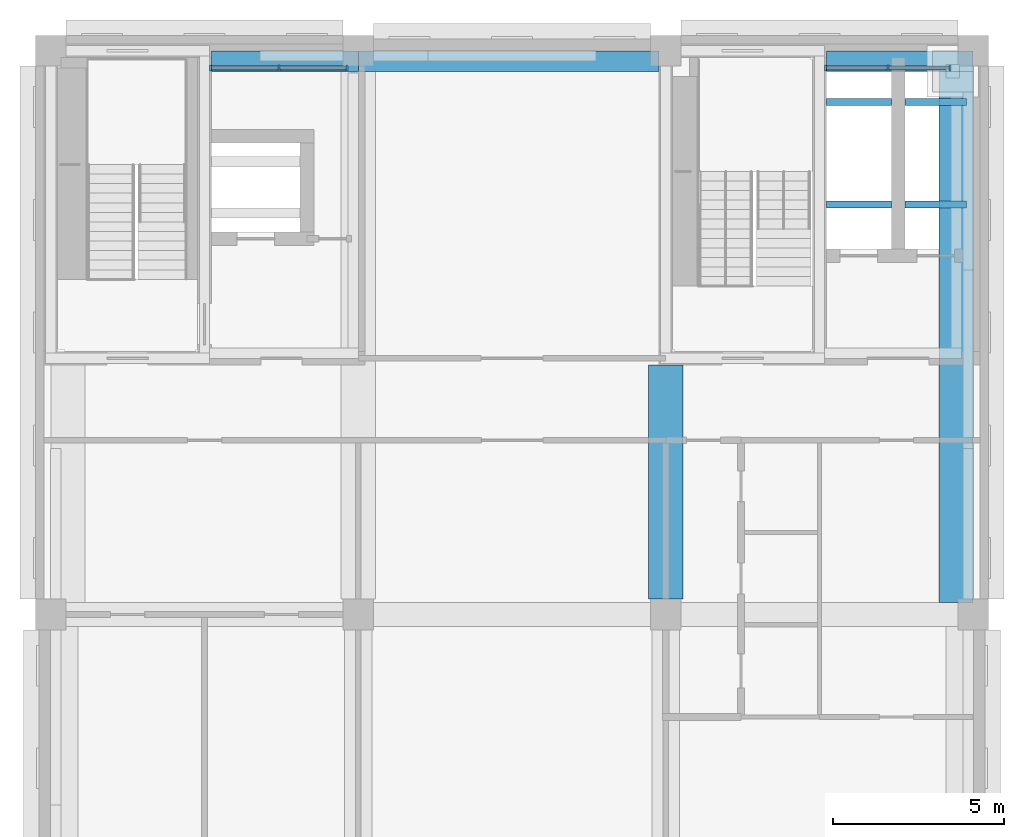
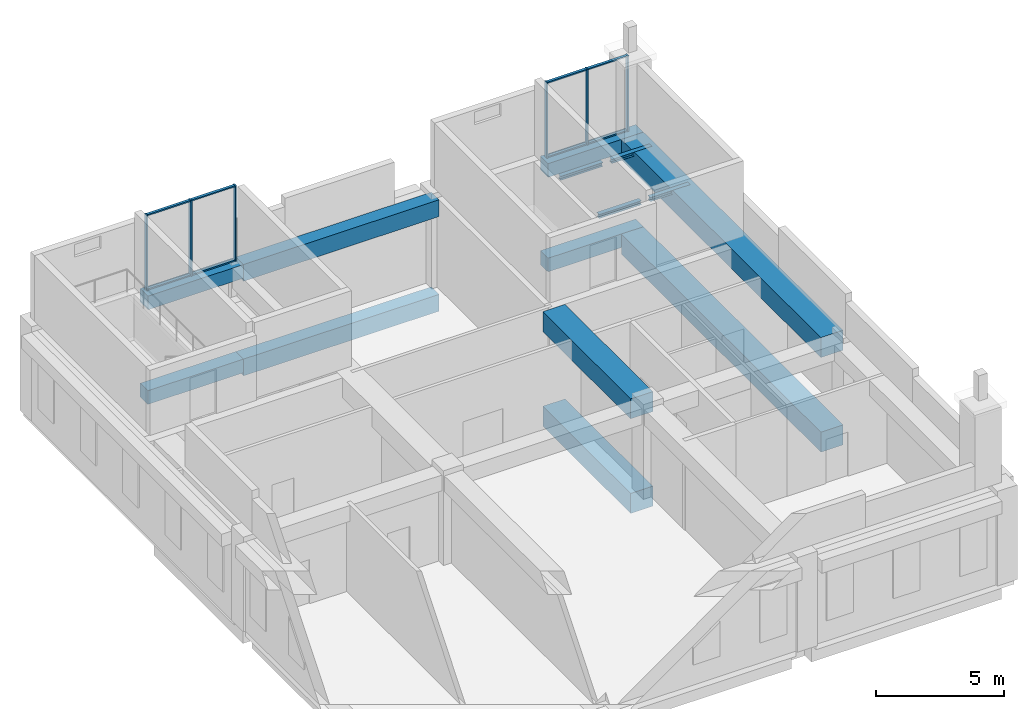
# One storey, part 2 of 6: 14 beams, 14 members, 2 elements without a shape of their own.
"""IFC4 building model written with IfcOpenShell, lengths in metres."""

from ifc_helpers import new_model, si_unit, direction, frame, origin, origin_2d, place, context, subcontext, project, spatial, rectangle, i_section, extrude, material, layer, layer_set, material_profile, profile_set, type_object, element, aggregate, save


model = new_model("IFC4")

# Units and contexts
model_context = context("Model", 3, precision=1e-05, world=origin(), true_north=direction((0.0, 1.0)))
body_context = subcontext(model_context, "Body", "Model", "MODEL_VIEW")
ifc_project = project(units=[si_unit("LENGTHUNIT", "METRE"), si_unit("AREAUNIT", "SQUARE_METRE"), si_unit("VOLUMEUNIT", "CUBIC_METRE"), si_unit("PLANEANGLEUNIT", "RADIAN"), si_unit("MASSUNIT", "GRAM", prefix="KILO")], contexts=[model_context])

# Site, building, storey
site_placement = place(None, origin())
site = spatial("IfcSite", under=ifc_project, at=site_placement, CompositionType="ELEMENT")
building_placement = place(site_placement, origin())
building = spatial("IfcBuilding", under=site, at=building_placement, Name="Aurelan Courthouse", CompositionType="ELEMENT")
storey_placement = place(building_placement, frame((0.0, 0.0, 57.89990234375)))
storey = spatial("IfcBuildingStorey", under=building, at=storey_placement, Name="L11", CompositionType="ELEMENT", Elevation=57.89990234375)

# Curtain wall, members
ifc_material_1 = material(Name="Bronze-finished aluminium and glass", Category="aluminium")
ifc_layer_1 = layer(ifc_material_1, 0.14990234375)
ifc_layer_set_1 = layer_set([ifc_layer_1], Name="Bronze-finished aluminium and glass")
curtain_wall_type_1 = type_object("IfcCurtainWallType", Name="Core strip 4050 x 3600", PredefinedType="NOTDEFINED", material=ifc_layer_set_1)
curtain_wall_1_placement = place(storey_placement, origin())
curtain_wall_1 = element("IfcCurtainWall", 1, at=curtain_wall_1_placement, inside=storey, type_object=curtain_wall_type_1, Name="Curtain wall CW-L11-C1N01", PredefinedType="NOTDEFINED")
ifc_material_2 = material(Name="Bronze-finished aluminium", Category="aluminium")
ifc_material_profile_1 = material_profile(ifc_material_2, rectangle(XDim=0.179931640625, YDim=0.06005859375, at=origin_2d()), Name="Core strip mullion 60 x 180")
ifc_profile_set_1 = profile_set([ifc_material_profile_1], Name="Bronze-finished aluminium")
member_type_1 = type_object("IfcMemberType", Name="Core strip mullion 60 x 180", PredefinedType="MULLION", material=ifc_profile_set_1)
member_1_placement = place(storey_placement, frame((4.679931640625, 28.0, 4.5), z_axis=(0.0, 0.0, 1.0), x_axis=(0.0, 1.0, 0.0)))
member_1 = element("IfcMember", 2, at=member_1_placement, type_object=member_type_1, Name="CW-L11-C1N01 mullion 1", PredefinedType="MULLION", context=body_context, shape_type="SweptSolid", body=[
    extrude(rectangle(XDim=0.179931640625, YDim=0.06005859375, at=origin_2d()), origin(), (0.0, 0.0, 1.0), 3.60009765625),
])
member_2_placement = place(storey_placement, frame((6.675048828125, 28.0, 4.5), z_axis=(0.0, 0.0, 1.0), x_axis=(0.0, 1.0, 0.0)))
member_2 = element("IfcMember", 3, at=member_2_placement, type_object=member_type_1, Name="CW-L11-C1N01 mullion 2", PredefinedType="MULLION", context=body_context, shape_type="SweptSolid", body=[
    extrude(rectangle(XDim=0.179931640625, YDim=0.06005859375, at=origin_2d()), origin(), (0.0, 0.0, 1.0), 3.60009765625),
])
member_3_placement = place(storey_placement, frame((8.669921875, 28.0, 4.5), z_axis=(0.0, 0.0, 1.0), x_axis=(0.0, 1.0, 0.0)))
member_3 = element("IfcMember", 4, at=member_3_placement, type_object=member_type_1, Name="CW-L11-C1N01 mullion 3", PredefinedType="MULLION", context=body_context, shape_type="SweptSolid", body=[
    extrude(rectangle(XDim=0.179931640625, YDim=0.06005859375, at=origin_2d()), origin(), (0.0, 0.0, 1.0), 3.60009765625),
])

ifc_layer_2 = layer(ifc_material_1, 0.14990234375)
ifc_layer_set_2 = layer_set([ifc_layer_2], Name="Bronze-finished aluminium and glass")
curtain_wall_type_2 = type_object("IfcCurtainWallType", Name="Core strip 3700 x 3600", PredefinedType="NOTDEFINED", material=ifc_layer_set_2)
curtain_wall_2_placement = place(storey_placement, origin())
curtain_wall_2 = element("IfcCurtainWall", 5, at=curtain_wall_2_placement, inside=storey, type_object=curtain_wall_type_2, Name="Curtain wall CW-L11-C2N01", PredefinedType="NOTDEFINED")
member_4_placement = place(storey_placement, frame((22.679931640625, 28.0, 4.5), z_axis=(0.0, 0.0, 1.0), x_axis=(0.0, 1.0, 0.0)))
member_4 = element("IfcMember", 6, at=member_4_placement, type_object=member_type_1, Name="CW-L11-C2N01 mullion 1", PredefinedType="MULLION", context=body_context, shape_type="SweptSolid", body=[
    extrude(rectangle(XDim=0.179931640625, YDim=0.06005859375, at=origin_2d()), origin(), (0.0, 0.0, 1.0), 3.60009765625),
])
member_5_placement = place(storey_placement, frame((24.5, 28.0, 4.5), z_axis=(0.0, 0.0, 1.0), x_axis=(0.0, 1.0, 0.0)))
member_5 = element("IfcMember", 7, at=member_5_placement, type_object=member_type_1, Name="CW-L11-C2N01 mullion 2", PredefinedType="MULLION", context=body_context, shape_type="SweptSolid", body=[
    extrude(rectangle(XDim=0.179931640625, YDim=0.06005859375, at=origin_2d()), origin(), (0.0, 0.0, 1.0), 3.60009765625),
])
member_6_placement = place(storey_placement, frame((26.320068359375, 28.0, 4.5), z_axis=(0.0, 0.0, 1.0), x_axis=(0.0, 1.0, 0.0)))
member_6 = element("IfcMember", 8, at=member_6_placement, type_object=member_type_1, Name="CW-L11-C2N01 mullion 3", PredefinedType="MULLION", context=body_context, shape_type="SweptSolid", body=[
    extrude(rectangle(XDim=0.179931640625, YDim=0.06005859375, at=origin_2d()), origin(), (0.0, 0.0, 1.0), 3.60009765625),
])

# Member
ifc_material_profile_2 = material_profile(ifc_material_2, rectangle(XDim=0.1201171875, YDim=0.06005859375, at=origin_2d()), Name="Core strip transom 60 x 120")
ifc_profile_set_2 = profile_set([ifc_material_profile_2], Name="Bronze-finished aluminium")
member_type_2 = type_object("IfcMemberType", Name="Core strip transom 60 x 120", PredefinedType="USERDEFINED", material=ifc_profile_set_2)
member_7_placement = place(storey_placement, frame((4.7099609375, 28.0, 4.530029296875), z_axis=(1.0, 0.0, 0.0), x_axis=(0.0, 1.0, 0.0)))
member_7 = element("IfcMember", 9, at=member_7_placement, type_object=member_type_2, Name="CW-L11-C1N01 transom 1.1", ObjectType="TRANSOM", PredefinedType="USERDEFINED", context=body_context, shape_type="SweptSolid", body=[
    extrude(rectangle(XDim=0.1201171875, YDim=0.06005859375, at=origin_2d()), origin(), (0.0, 0.0, 1.0), 1.93505859375),
])

member_8_placement = place(storey_placement, frame((4.7099609375, 28.0, 8.070068359375), z_axis=(1.0, 0.0, 0.0), x_axis=(0.0, 1.0, 0.0)))
member_8 = element("IfcMember", 10, at=member_8_placement, type_object=member_type_2, Name="CW-L11-C1N01 transom 1.2", ObjectType="TRANSOM", PredefinedType="USERDEFINED", context=body_context, shape_type="SweptSolid", body=[
    extrude(rectangle(XDim=0.1201171875, YDim=0.06005859375, at=origin_2d()), origin(), (0.0, 0.0, 1.0), 1.93505859375),
])

member_9_placement = place(storey_placement, frame((6.705078125, 28.0, 4.530029296875), z_axis=(1.0, 0.0, 0.0), x_axis=(0.0, 1.0, 0.0)))
member_9 = element("IfcMember", 11, at=member_9_placement, type_object=member_type_2, Name="CW-L11-C1N01 transom 2.1", ObjectType="TRANSOM", PredefinedType="USERDEFINED", context=body_context, shape_type="SweptSolid", body=[
    extrude(rectangle(XDim=0.1201171875, YDim=0.06005859375, at=origin_2d()), origin(), (0.0, 0.0, 1.0), 1.934814453125),
])

member_10_placement = place(storey_placement, frame((6.705078125, 28.0, 8.070068359375), z_axis=(1.0, 0.0, 0.0), x_axis=(0.0, 1.0, 0.0)))
member_10 = element("IfcMember", 12, at=member_10_placement, type_object=member_type_2, Name="CW-L11-C1N01 transom 2.2", ObjectType="TRANSOM", PredefinedType="USERDEFINED", context=body_context, shape_type="SweptSolid", body=[
    extrude(rectangle(XDim=0.1201171875, YDim=0.06005859375, at=origin_2d()), origin(), (0.0, 0.0, 1.0), 1.934814453125),
])

aggregate(curtain_wall_1, [member_1, member_2, member_3, member_7, member_8, member_9, member_10])

member_11_placement = place(storey_placement, frame((22.7099609375, 28.0, 4.530029296875), z_axis=(1.0, 0.0, 0.0), x_axis=(0.0, 1.0, 0.0)))
member_11 = element("IfcMember", 13, at=member_11_placement, type_object=member_type_2, Name="CW-L11-C2N01 transom 1.1", ObjectType="TRANSOM", PredefinedType="USERDEFINED", context=body_context, shape_type="SweptSolid", body=[
    extrude(rectangle(XDim=0.1201171875, YDim=0.06005859375, at=origin_2d()), origin(), (0.0, 0.0, 1.0), 1.760009765625),
])

member_12_placement = place(storey_placement, frame((22.7099609375, 28.0, 8.070068359375), z_axis=(1.0, 0.0, 0.0), x_axis=(0.0, 1.0, 0.0)))
member_12 = element("IfcMember", 14, at=member_12_placement, type_object=member_type_2, Name="CW-L11-C2N01 transom 1.2", ObjectType="TRANSOM", PredefinedType="USERDEFINED", context=body_context, shape_type="SweptSolid", body=[
    extrude(rectangle(XDim=0.1201171875, YDim=0.06005859375, at=origin_2d()), origin(), (0.0, 0.0, 1.0), 1.760009765625),
])

member_13_placement = place(storey_placement, frame((24.530029296875, 28.0, 4.530029296875), z_axis=(1.0, 0.0, 0.0), x_axis=(0.0, 1.0, 0.0)))
member_13 = element("IfcMember", 15, at=member_13_placement, type_object=member_type_2, Name="CW-L11-C2N01 transom 2.1", ObjectType="TRANSOM", PredefinedType="USERDEFINED", context=body_context, shape_type="SweptSolid", body=[
    extrude(rectangle(XDim=0.1201171875, YDim=0.06005859375, at=origin_2d()), origin(), (0.0, 0.0, 1.0), 1.760009765625),
])

member_14_placement = place(storey_placement, frame((24.530029296875, 28.0, 8.070068359375), z_axis=(1.0, 0.0, 0.0), x_axis=(0.0, 1.0, 0.0)))
member_14 = element("IfcMember", 16, at=member_14_placement, type_object=member_type_2, Name="CW-L11-C2N01 transom 2.2", ObjectType="TRANSOM", PredefinedType="USERDEFINED", context=body_context, shape_type="SweptSolid", body=[
    extrude(rectangle(XDim=0.1201171875, YDim=0.06005859375, at=origin_2d()), origin(), (0.0, 0.0, 1.0), 1.760009765625),
])

aggregate(curtain_wall_2, [member_4, member_5, member_6, member_11, member_12, member_13, member_14])

# Beams
ifc_material_3 = material(Name="Steel S355", Category="steel")
ifc_material_profile_3 = material_profile(ifc_material_3, i_section(OverallWidth=0.199951171875, OverallDepth=0.18994140625, WebThickness=0.006591796875, FlangeThickness=0.010009765625, FilletRadius=0.01806640625, at=origin_2d()), Name="HEA 200")
ifc_profile_set_3 = profile_set([ifc_material_profile_3], Name="Steel S355")
beam_type_1 = type_object("IfcBeamType", Name="Hoist beam HEA 200", PredefinedType="BEAM", material=ifc_profile_set_3)
for number, where, z_axis, x_axis, name in (
    (17, (22.699951171875, 24.0, 4.155029296875), (1.0, 0.0, 0.0), (0.0, 1.0, 0.0), "Hoist beam HB-V5-P1-1"),
    (18, (22.699951171875, 27.0, 4.155029296875), (1.0, 0.0, 0.0), (0.0, 1.0, 0.0), "Hoist beam HB-V5-P1-2"),
):
    element("IfcBeam", number, at=place(storey_placement, frame(where, z_axis=z_axis, x_axis=x_axis)), inside=storey, type_object=beam_type_1, Name=name, PredefinedType="BEAM", context=body_context, shape_type="SweptSolid", body=[
        extrude(i_section(OverallWidth=0.199951171875, OverallDepth=0.18994140625, WebThickness=0.006591796875, FlangeThickness=0.010009765625, FilletRadius=0.01806640625, at=origin_2d()), origin(), (0.0, 0.0, 1.0), 1.900146484375),
    ])
for number, where, z_axis, x_axis, name in (
    (19, (25.0, 24.0, 4.155029296875), (1.0, 0.0, 0.0), (0.0, 1.0, 0.0), "Hoist beam HB-V5-P2-1"),
    (20, (25.0, 27.0, 4.155029296875), (1.0, 0.0, 0.0), (0.0, 1.0, 0.0), "Hoist beam HB-V5-P2-2"),
):
    element("IfcBeam", number, at=place(storey_placement, frame(where, z_axis=z_axis, x_axis=x_axis)), inside=storey, type_object=beam_type_1, Name=name, PredefinedType="BEAM", context=body_context, shape_type="SweptSolid", body=[
        extrude(i_section(OverallWidth=0.199951171875, OverallDepth=0.18994140625, WebThickness=0.006591796875, FlangeThickness=0.010009765625, FilletRadius=0.01806640625, at=origin_2d()), origin(), (0.0, 0.0, 1.0), 1.800048828125),
    ])
ifc_material_4 = material(Name="Concrete C50", Category="concrete")
ifc_material_profile_4 = material_profile(ifc_material_4, rectangle(XDim=1.0, YDim=0.949951171875, at=origin_2d()), Name="RC 1000 x 950")
ifc_profile_set_4 = profile_set([ifc_material_profile_4], Name="Concrete C50")
beam_type_2 = type_object("IfcBeamType", Name="PT girder 1000 x 950", PredefinedType="BEAM", material=ifc_profile_set_4)
beam_1_placement = place(storey_placement, frame((18.0, 12.449951171875, -0.724853515625), z_axis=(0.0, 1.0, 0.0), x_axis=(-1.0, 0.0, 0.0)))
element("IfcBeam", 21, at=beam_1_placement, inside=storey, type_object=beam_type_2, Name="Girder GB-3BC", PredefinedType="BEAM", context=body_context, shape_type="SweptSolid", body=[
    extrude(rectangle(XDim=1.0, YDim=0.949951171875, at=origin_2d()), origin(), (0.0, 0.0, 1.0), 6.85009765625),
])
beam_2_placement = place(storey_placement, frame((26.5, 12.35009765625, -0.724853515625), z_axis=(0.0, 1.0, 0.0), x_axis=(-1.0, 0.0, 0.0)))
element("IfcBeam", 22, at=beam_2_placement, inside=storey, type_object=beam_type_2, Name="Girder GB-4BC-E", PredefinedType="BEAM", context=body_context, shape_type="SweptSolid", body=[
    extrude(rectangle(XDim=1.0, YDim=0.949951171875, at=origin_2d()), origin(), (0.0, 0.0, 1.0), 15.5498046875),
])
beam_3_placement = place(storey_placement, frame((18.0, 12.449951171875, 3.775146484375), z_axis=(0.0, 1.0, 0.0), x_axis=(-1.0, 0.0, 0.0)))
element("IfcBeam", 23, at=beam_3_placement, inside=storey, type_object=beam_type_2, Name="Girder GB-3BCR", PredefinedType="BEAM", context=body_context, shape_type="SweptSolid", body=[
    extrude(rectangle(XDim=1.0, YDim=0.949951171875, at=origin_2d()), origin(), (0.0, 0.0, 1.0), 6.85009765625),
])
beam_4_placement = place(storey_placement, frame((26.5, 12.35009765625, 3.775146484375), z_axis=(0.0, 1.0, 0.0), x_axis=(-1.0, 0.0, 0.0)))
element("IfcBeam", 24, at=beam_4_placement, inside=storey, type_object=beam_type_2, Name="Girder GB-4BCER", PredefinedType="BEAM", context=body_context, shape_type="SweptSolid", body=[
    extrude(rectangle(XDim=1.0, YDim=0.949951171875, at=origin_2d()), origin(), (0.0, 0.0, 1.0), 15.5498046875),
])
ifc_material_profile_5 = material_profile(ifc_material_4, rectangle(XDim=0.60009765625, YDim=0.64990234375, at=origin_2d()), Name="RC 600 x 650")
ifc_profile_set_5 = profile_set([ifc_material_profile_5], Name="Concrete C50")
beam_type_3 = type_object("IfcBeamType", Name="RC spandrel beam 600 x 650", PredefinedType="SPANDREL", material=ifc_profile_set_5)
for number, where, z_axis, x_axis, name in (
    (25, (4.699951171875, 28.199951171875, -0.574951171875), (1.0, 0.0, 0.0), (0.0, 1.0, 0.0), "Spandrel beam SB-C-1-2"),
    (26, (22.699951171875, 28.199951171875, -0.574951171875), (1.0, 0.0, 0.0), (0.0, 1.0, 0.0), "Spandrel beam SB-C-3-4"),
    (27, (4.699951171875, 28.199951171875, 3.925048828125), (1.0, 0.0, 0.0), (0.0, 1.0, 0.0), "Spandrel beam SB-C-1-2R"),
    (28, (22.699951171875, 28.199951171875, 3.925048828125), (1.0, 0.0, 0.0), (0.0, 1.0, 0.0), "Spandrel beam SB-C-3-4R"),
):
    element("IfcBeam", number, at=place(storey_placement, frame(where, z_axis=z_axis, x_axis=x_axis)), inside=storey, type_object=beam_type_3, Name=name, PredefinedType="SPANDREL", context=body_context, shape_type="SweptSolid", body=[
        extrude(rectangle(XDim=0.60009765625, YDim=0.64990234375, at=origin_2d()), origin(), (0.0, 0.0, 1.0), 4.300048828125),
    ])
ifc_material_profile_6 = material_profile(ifc_material_4, rectangle(XDim=0.60009765625, YDim=0.800048828125, at=origin_2d()), Name="RC 600 x 800")
ifc_profile_set_6 = profile_set([ifc_material_profile_6], Name="Concrete C50")
beam_type_4 = type_object("IfcBeamType", Name="RC spandrel beam 600 x 800", PredefinedType="SPANDREL", material=ifc_profile_set_6)
for number, where, z_axis, x_axis, name in (
    (29, (9.0, 28.199951171875, -0.64990234375), (1.0, 0.0, 0.0), (0.0, 1.0, 0.0), "Spandrel beam SB-C-2-3"),
    (30, (9.0, 28.199951171875, 3.85009765625), (1.0, 0.0, 0.0), (0.0, 1.0, 0.0), "Spandrel beam SB-C-2-3R"),
):
    element("IfcBeam", number, at=place(storey_placement, frame(where, z_axis=z_axis, x_axis=x_axis)), inside=storey, type_object=beam_type_4, Name=name, PredefinedType="SPANDREL", context=body_context, shape_type="SweptSolid", body=[
        extrude(rectangle(XDim=0.60009765625, YDim=0.800048828125, at=origin_2d()), origin(), (0.0, 0.0, 1.0), 8.800048828125),
    ])

save(model, "model.ifc")
